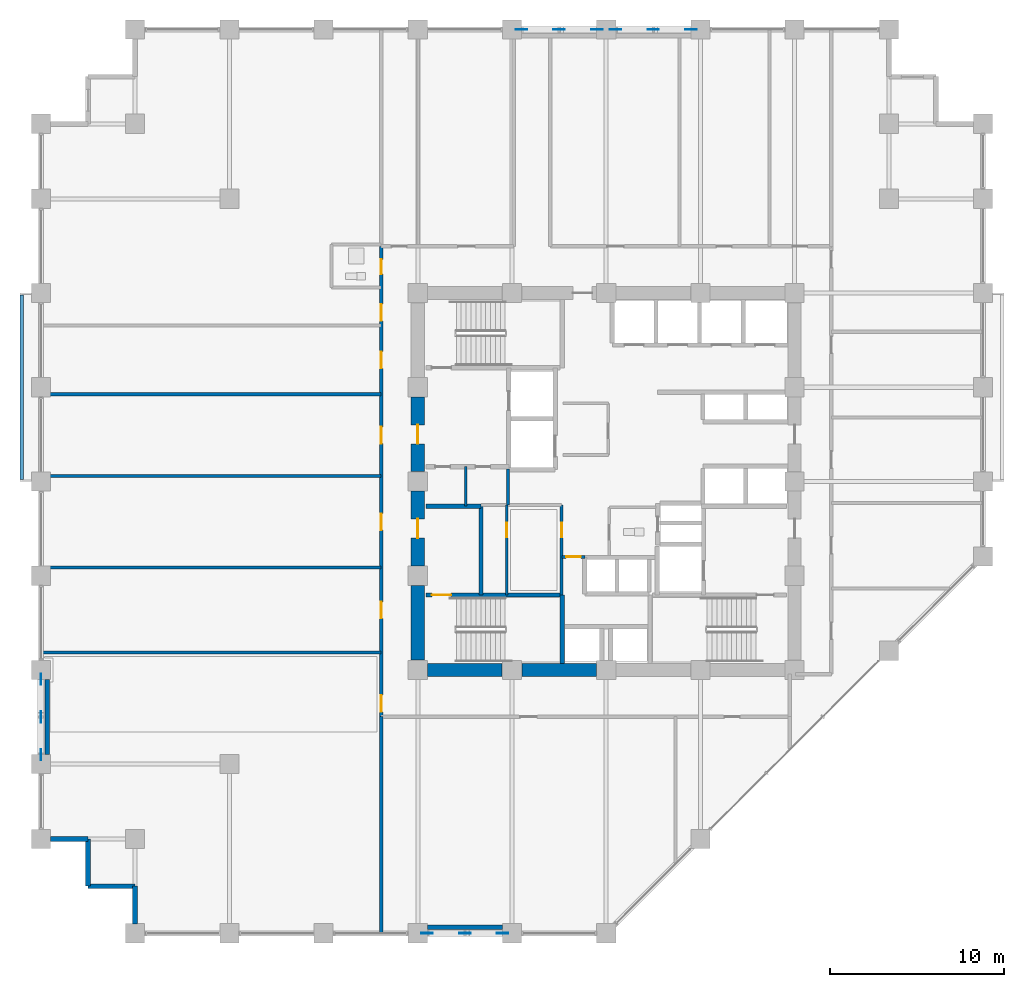
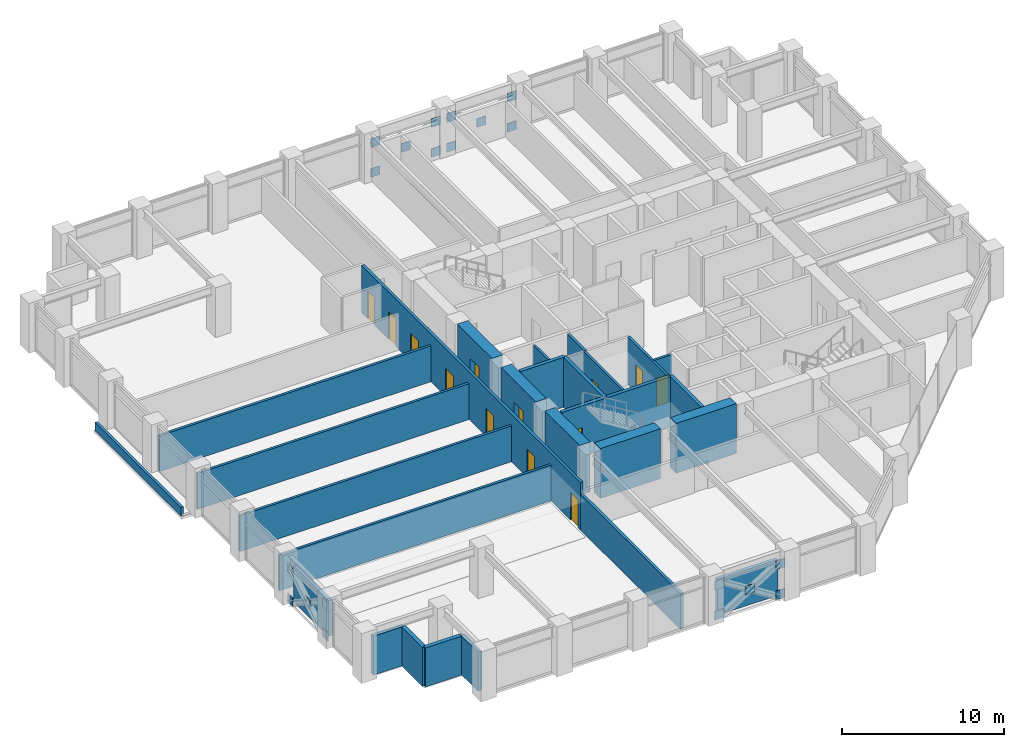
# One storey, part 18 of 24: 27 walls, 20 plates, 13 doors, 13 openings.
"""IFC4 building model written with IfcOpenShell, lengths in metres."""

from ifc_helpers import new_model, si_unit, direction, frame, frame_2d, origin, origin_2d, place, context, subcontext, project, spatial, rectangle, extrude, material, layer, layer_set, type_object, element, fill, save


model = new_model("IFC4")

# Units and contexts
model_context = context("Model", 3, precision=1e-05, world=origin(), true_north=direction((0.0, 1.0)))
body_context = subcontext(model_context, "Body", "Model", "MODEL_VIEW")
ifc_project = project(units=[si_unit("LENGTHUNIT", "METRE"), si_unit("AREAUNIT", "SQUARE_METRE"), si_unit("VOLUMEUNIT", "CUBIC_METRE"), si_unit("PLANEANGLEUNIT", "RADIAN"), si_unit("MASSUNIT", "GRAM", prefix="KILO")], contexts=[model_context])

# Site, building, storey
site_placement = place(None, origin())
site = spatial("IfcSite", under=ifc_project, at=site_placement, CompositionType="ELEMENT")
building_placement = place(site_placement, origin())
building = spatial("IfcBuilding", under=site, at=building_placement, Name="Surkhivell Harbour Commons", CompositionType="ELEMENT")
storey_placement = place(building_placement, frame((0.0, 0.0, 105.75)))
storey = spatial("IfcBuildingStorey", under=building, at=storey_placement, Name="L27", CompositionType="ELEMENT", Elevation=105.75)

# Plates
ifc_material_1 = material(Name="Steel S460", Category="steel")
ifc_layer_1 = layer(ifc_material_1, 0.044921875)
ifc_layer_set_1 = layer_set([ifc_layer_1], Name="Steel S460")
plate_type = type_object("IfcPlateType", Name="PLT-GUS-650", PredefinedType="USERDEFINED", material=ifc_layer_set_1)
for number, where, z_axis, x_axis, name in (
    (1, (-4.864990234375, 25.89990234375, -0.08935546875), (0.0, 0.0, 1.0), (1.0, 0.0, 0.0), "L27 Perimeter Mega-Brace MB- Corner Gusset N-1"),
    (2, (-0.534912109375, 25.89990234375, -0.08935546875), (0.0, 0.0, 1.0), (1.0, 0.0, 0.0), "L27 Perimeter Mega-Brace MB- Corner Gusset N-2"),
    (3, (-4.864990234375, 25.89990234375, 2.170654296875), (0.0, 0.0, 1.0), (1.0, 0.0, 0.0), "L27 Perimeter Mega-Brace MB- Corner Gusset N-3"),
    (4, (-0.534912109375, 25.89990234375, 2.170654296875), (0.0, 0.0, 1.0), (1.0, 0.0, 0.0), "L27 Perimeter Mega-Brace MB- Corner Gusset N-4"),
    (5, (-2.699951171875, 25.89990234375, 1.04052734375), (0.0, 0.0, 1.0), (1.0, 0.0, 0.0), "L27 Perimeter Mega-Brace MB- Central Crossing Gusset N"),
    (6, (0.534912109375, 25.89990234375, -0.08935546875), (0.0, 0.0, 1.0), (1.0, 0.0, 0.0), "L27 Perimeter Mega-Brace MB- Corner Gusset N2-1"),
    (7, (4.864990234375, 25.89990234375, -0.08935546875), (0.0, 0.0, 1.0), (1.0, 0.0, 0.0), "L27 Perimeter Mega-Brace MB- Corner Gusset N2-2"),
    (8, (0.534912109375, 25.89990234375, 2.170654296875), (0.0, 0.0, 1.0), (1.0, 0.0, 0.0), "L27 Perimeter Mega-Brace MB- Corner Gusset N2-3"),
    (9, (4.864990234375, 25.89990234375, 2.170654296875), (0.0, 0.0, 1.0), (1.0, 0.0, 0.0), "L27 Perimeter Mega-Brace MB- Corner Gusset N2-4"),
    (10, (2.699951171875, 25.89990234375, 1.04052734375), (0.0, 0.0, 1.0), (1.0, 0.0, 0.0), "L27 Perimeter Mega-Brace MB- Central Crossing Gusset N2"),
    (11, (-10.264892578125, -25.89990234375, -0.08935546875), (0.0, 0.0, 1.0), (1.0, 0.0, 0.0), "L27 Perimeter Mega-Brace MB- Corner Gusset S-1"),
    (12, (-5.93505859375, -25.89990234375, -0.08935546875), (0.0, 0.0, 1.0), (1.0, 0.0, 0.0), "L27 Perimeter Mega-Brace MB- Corner Gusset S-2"),
    (13, (-10.264892578125, -25.89990234375, 2.170654296875), (0.0, 0.0, 1.0), (1.0, 0.0, 0.0), "L27 Perimeter Mega-Brace MB- Corner Gusset S-3"),
    (14, (-5.93505859375, -25.89990234375, 2.170654296875), (0.0, 0.0, 1.0), (1.0, 0.0, 0.0), "L27 Perimeter Mega-Brace MB- Corner Gusset S-4"),
    (15, (-8.10009765625, -25.89990234375, 1.04052734375), (0.0, 0.0, 1.0), (1.0, 0.0, 0.0), "L27 Perimeter Mega-Brace MB- Central Crossing Gusset S"),
    (16, (-32.39990234375, -15.6650390625, -0.08935546875), (0.0, 0.0, 1.0), (0.0, 1.0, 0.0), "L27 Perimeter Mega-Brace MB- Corner Gusset W-1"),
    (17, (-32.39990234375, -11.3349609375, -0.08935546875), (0.0, 0.0, 1.0), (0.0, 1.0, 0.0), "L27 Perimeter Mega-Brace MB- Corner Gusset W-2"),
    (18, (-32.39990234375, -15.6650390625, 2.170654296875), (0.0, 0.0, 1.0), (0.0, 1.0, 0.0), "L27 Perimeter Mega-Brace MB- Corner Gusset W-3"),
    (19, (-32.39990234375, -11.3349609375, 2.170654296875), (0.0, 0.0, 1.0), (0.0, 1.0, 0.0), "L27 Perimeter Mega-Brace MB- Corner Gusset W-4"),
    (20, (-32.39990234375, -13.5, 1.04052734375), (0.0, 0.0, 1.0), (0.0, 1.0, 0.0), "L27 Perimeter Mega-Brace MB- Central Crossing Gusset W"),
):
    element("IfcPlate", number, at=place(storey_placement, frame(where, z_axis=z_axis, x_axis=x_axis)), inside=storey, type_object=plate_type, Name=name, ObjectType="GUSSET_PLATE", PredefinedType="USERDEFINED", context=body_context, shape_type="SweptSolid", body=[
        extrude(rectangle(XDim=0.64990234375, YDim=0.044921875, at=origin_2d()), origin(), (0.0, 0.0, 1.0), 0.64990234375),
    ])

# Walls
ifc_material_2 = material(Name="Concrete C60/75", Category="concrete")
ifc_layer_2 = layer(ifc_material_2, 0.75)
ifc_layer_set_2 = layer_set([ifc_layer_2], Name="Concrete C60/75")
wall_type_1 = type_object("IfcWallType", Name="WAL-CORE-750", PredefinedType="SHEAR", material=ifc_layer_set_2)
for number, where, z_axis, x_axis, name in (
    (21, (-10.239990234375, -10.800048828125, 0.0), (0.0, 0.0, 1.0), (1.0, 0.0, 0.0), "L27 Core Shear Wall South 1"),
    (22, (-10.800048828125, -10.239990234375, 0.0), (0.0, 0.0, 1.0), (0.0, 1.0, 0.0), "L27 Core Shear Wall West 1"),
    (23, (-4.840087890625, -10.800048828125, 0.0), (0.0, 0.0, 1.0), (1.0, 0.0, 0.0), "L27 Core Shear Wall South 2"),
):
    element("IfcWall", number, at=place(storey_placement, frame(where, z_axis=z_axis, x_axis=x_axis)), inside=storey, type_object=wall_type_1, Name=name, PredefinedType="SHEAR", context=body_context, shape_type="SweptSolid", body=[
        extrude(rectangle(XDim=4.280029296875, YDim=0.75, at=frame_2d((2.14013671875, 0.0))), origin(), (0.0, 0.0, 1.0), 3.75),
    ])

# Wall, opening, door
wall_1_placement = place(storey_placement, frame((-10.800048828125, -4.840087890625, 0.0), z_axis=(0.0, 0.0, 1.0), x_axis=(0.0, 1.0, 0.0)))
wall_1 = element("IfcWall", 24, at=wall_1_placement, inside=storey, type_object=wall_type_1, Name="L27 Core Shear Wall West 2", PredefinedType="SHEAR", context=body_context, shape_type="SweptSolid", body=[
    extrude(rectangle(XDim=4.280029296875, YDim=0.75, at=frame_2d((2.14013671875, 0.0))), origin(), (0.0, 0.0, 1.0), 3.75),
])
opening_1_placement = place(wall_1_placement, frame((1.590087890625, 0.0, 0.0)))
opening_1 = element("IfcOpeningElement", 25, at=opening_1_placement, cuts=wall_1, Name="Opening ID-2", PredefinedType="OPENING", context=body_context, shape_type="SweptSolid", body=[
    extrude(rectangle(XDim=1.10009765625, YDim=2.10009765625, at=frame_2d((0.550048828125, 1.050048828125))), frame((0.0, 0.385009765625, 0.0), z_axis=(0.0, -1.0, 0.0), x_axis=(1.0, 0.0, 0.0)), (0.0, 0.0, 1.0), 0.77001953125),
])
ifc_material_3 = material(Name="Hardwood-veneered fire-rated door leaf", Category="wood")
door_type_1 = type_object("IfcDoorType", Name="DOR-FD60-1100", OperationType="NOTDEFINED", PredefinedType="DOOR", material=ifc_material_3)
door_1_placement = place(opening_1_placement, origin())
door_1 = element("IfcDoor", 26, at=door_1_placement, inside=storey, type_object=door_type_1, Name="L27 Stair 3 Lobby Corridor Door", OperationType="SINGLE_SWING_LEFT", OverallHeight=2.10009765625, OverallWidth=1.10009765625, PredefinedType="DOOR", context=body_context, shape_type="SweptSolid", body=[
    extrude(rectangle(XDim=1.10009765625, YDim=2.10009765625, at=frame_2d((0.550048828125, 1.050048828125))), frame((0.0, 0.02490234375, 0.0), z_axis=(0.0, -1.0, 0.0), x_axis=(1.0, 0.0, 0.0)), (0.0, 0.0, 1.0), 0.050048828125),
])
fill(opening_1, door_1)

wall_2_placement = place(storey_placement, frame((-10.800048828125, 0.56005859375, 0.0), z_axis=(0.0, 0.0, 1.0), x_axis=(0.0, 1.0, 0.0)))
wall_2 = element("IfcWall", 27, at=wall_2_placement, inside=storey, type_object=wall_type_1, Name="L27 Core Shear Wall West 3", PredefinedType="SHEAR", context=body_context, shape_type="SweptSolid", body=[
    extrude(rectangle(XDim=4.280029296875, YDim=0.75, at=frame_2d((2.14013671875, 0.0))), origin(), (0.0, 0.0, 1.0), 3.75),
])
opening_2_placement = place(wall_2_placement, frame((1.590087890625, 0.0, 0.0)))
opening_2 = element("IfcOpeningElement", 28, at=opening_2_placement, cuts=wall_2, Name="Opening ID-1", PredefinedType="OPENING", context=body_context, shape_type="SweptSolid", body=[
    extrude(rectangle(XDim=1.10009765625, YDim=2.10009765625, at=frame_2d((0.550048828125, 1.050048828125))), frame((0.0, 0.385009765625, 0.0), z_axis=(0.0, -1.0, 0.0), x_axis=(1.0, 0.0, 0.0)), (0.0, 0.0, 1.0), 0.77001953125),
])
door_type_2 = type_object("IfcDoorType", Name="DOR-FD120-1100", OperationType="NOTDEFINED", PredefinedType="DOOR", material=ifc_material_3)
door_2_placement = place(opening_2_placement, origin())
door_2 = element("IfcDoor", 29, at=door_2_placement, inside=storey, type_object=door_type_2, Name="L27 Firefighting Lobby 1 Corridor Door", OperationType="SINGLE_SWING_LEFT", OverallHeight=2.10009765625, OverallWidth=1.10009765625, PredefinedType="DOOR", context=body_context, shape_type="SweptSolid", body=[
    extrude(rectangle(XDim=1.10009765625, YDim=2.10009765625, at=frame_2d((0.550048828125, 1.050048828125))), frame((0.0, 0.02490234375, 0.0), z_axis=(0.0, -1.0, 0.0), x_axis=(1.0, 0.0, 0.0)), (0.0, 0.0, 1.0), 0.050048828125),
])
fill(opening_2, door_2)

# Walls
ifc_material_4 = material(Name="Pale-metal insulated precast concrete C45/55", Category="concrete")
ifc_layer_3 = layer(ifc_material_4, 0.260009765625)
ifc_layer_set_3 = layer_set([ifc_layer_3], Name="Pale-metal insulated precast concrete C45/55")
wall_type_2 = type_object("IfcWallType", Name="WAL-EXT-MTL260", PredefinedType="STANDARD", material=ifc_layer_set_3)
wall_3_placement = place(storey_placement, frame((-10.251953125, -25.5400390625, 0.0), z_axis=(0.0, 0.0, 1.0), x_axis=(1.0, 0.0, 0.0)))
element("IfcWall", 30, at=wall_3_placement, inside=storey, type_object=wall_type_2, Name="L27 Braced-Bay Insulated Spandrel Backing S", PredefinedType="STANDARD", context=body_context, shape_type="SweptSolid", body=[
    extrude(rectangle(XDim=4.303955078125, YDim=0.260009765625, at=frame_2d((2.15185546875, 0.0))), origin(), (0.0, 0.0, 1.0), 2.698974609375),
])
wall_4_placement = place(storey_placement, frame((-32.0400390625, -11.347900390625, 0.0), z_axis=(0.0, 0.0, 1.0), x_axis=(0.0, -1.0, 0.0)))
element("IfcWall", 31, at=wall_4_placement, inside=storey, type_object=wall_type_2, Name="L27 Braced-Bay Insulated Spandrel Backing W", PredefinedType="STANDARD", context=body_context, shape_type="SweptSolid", body=[
    extrude(rectangle(XDim=4.30419921875, YDim=0.260009765625, at=frame_2d((2.152099609375, 0.0))), origin(), (0.0, 0.0, 1.0), 2.698974609375),
])
ifc_material_5 = material(Name="Terracotta-clad reinforced concrete C45/55", Category="masonry")
ifc_layer_4 = layer(ifc_material_5, 0.280029296875)
ifc_layer_set_4 = layer_set([ifc_layer_4], Name="Terracotta-clad reinforced concrete C45/55")
wall_type_3 = type_object("IfcWallType", Name="WAL-EXT-TER280", PredefinedType="STANDARD", material=ifc_layer_set_4)
wall_5_placement = place(storey_placement, frame((-31.85205078125, -20.5, 0.0), z_axis=(0.0, 0.0, 1.0), x_axis=(1.0, 0.0, 0.0)))
element("IfcWall", 32, at=wall_5_placement, inside=storey, type_object=wall_type_3, Name="L27 Serrated Corner Facade Wall 13", PredefinedType="STANDARD", context=body_context, shape_type="SweptSolid", body=[
    extrude(rectangle(XDim=2.152099609375, YDim=0.280029296875, at=frame_2d((1.076171875, 0.0))), origin(), (0.0, 0.0, 1.0), 2.93310546875),
])
for number, where, z_axis, x_axis, name in (
    (33, (-29.699951171875, -20.5, 0.0), (0.0, 0.0, 1.0), (0.0, -1.0, 0.0), "L27 Serrated Corner Facade Wall 14"),
    (34, (-29.699951171875, -23.199951171875, 0.0), (0.0, 0.0, 1.0), (1.0, 0.0, 0.0), "L27 Serrated Corner Facade Wall 15"),
):
    element("IfcWall", number, at=place(storey_placement, frame(where, z_axis=z_axis, x_axis=x_axis)), inside=storey, type_object=wall_type_3, Name=name, PredefinedType="STANDARD", context=body_context, shape_type="SweptSolid", body=[
        extrude(rectangle(XDim=2.699951171875, YDim=0.280029296875, at=frame_2d((1.35009765625, 0.0))), origin(), (0.0, 0.0, 1.0), 2.93310546875),
    ])
wall_6_placement = place(storey_placement, frame((-27.0, -23.199951171875, 0.0), z_axis=(0.0, 0.0, 1.0), x_axis=(0.0, -1.0, 0.0)))
element("IfcWall", 35, at=wall_6_placement, inside=storey, type_object=wall_type_3, Name="L27 Serrated Corner Facade Wall 16", PredefinedType="STANDARD", context=body_context, shape_type="SweptSolid", body=[
    extrude(rectangle(XDim=2.152099609375, YDim=0.280029296875, at=frame_2d((1.076171875, 0.0))), origin(), (0.0, 0.0, 1.0), 2.93310546875),
])

# Wall, opening, door
ifc_material_6 = material(Name="Twin-stud acoustic fireboard partition", Category="other")
ifc_layer_5 = layer(ifc_material_6, 0.14990234375)
ifc_layer_set_5 = layer_set([ifc_layer_5], Name="Twin-stud acoustic fireboard partition")
wall_type_4 = type_object("IfcWallType", Name="WAL-INT-150", PredefinedType="PARTITIONING", material=ifc_layer_set_5)
wall_7_placement = place(storey_placement, frame((-5.699951171875, -6.510009765625, 0.0), z_axis=(0.0, 0.0, 1.0), x_axis=(0.0, 1.0, 0.0)))
wall_7 = element("IfcWall", 36, at=wall_7_placement, inside=storey, type_object=wall_type_4, Name="L27 Core Cut B Partition", PredefinedType="PARTITIONING", context=body_context, shape_type="SweptSolid", body=[
    extrude(rectangle(XDim=5.159912109375, YDim=0.14990234375, at=frame_2d((2.580078125, 0.0))), origin(), (0.0, 0.0, 1.0), 3.570068359375),
])
opening_3_placement = place(wall_7_placement, frame((3.300048828125, 0.0, 0.0)))
opening_3 = element("IfcOpeningElement", 37, at=opening_3_placement, cuts=wall_7, Name="Opening ID-6", PredefinedType="OPENING", context=body_context, shape_type="SweptSolid", body=[
    extrude(rectangle(XDim=0.85009765625, YDim=2.10009765625, at=frame_2d((0.425048828125, 1.050048828125))), frame((0.0, 0.0849609375, 0.0), z_axis=(0.0, -1.0, 0.0), x_axis=(1.0, 0.0, 0.0)), (0.0, 0.0, 1.0), 0.169921875),
])
door_type_3 = type_object("IfcDoorType", Name="DOR-FD30-850", OperationType="NOTDEFINED", PredefinedType="DOOR", material=ifc_material_3)
door_3_placement = place(opening_3_placement, origin())
door_3 = element("IfcDoor", 38, at=door_3_placement, inside=storey, type_object=door_type_3, Name="L27 Core Focus Study Door", OperationType="SINGLE_SWING_RIGHT", OverallHeight=2.10009765625, OverallWidth=0.85009765625, PredefinedType="DOOR", context=body_context, shape_type="SweptSolid", body=[
    extrude(rectangle(XDim=0.85009765625, YDim=2.10009765625, at=frame_2d((0.425048828125, 1.050048828125))), frame((0.0, 0.02490234375, 0.0), z_axis=(0.0, -1.0, 0.0), x_axis=(1.0, 0.0, 0.0)), (0.0, 0.0, 1.0), 0.050048828125),
])
fill(opening_3, door_3)

# Wall
wall_8_placement = place(storey_placement, frame((-8.050048828125, -1.419921875, 0.0), z_axis=(0.0, 0.0, 1.0), x_axis=(0.0, 1.0, 0.0)))
element("IfcWall", 39, at=wall_8_placement, inside=storey, type_object=wall_type_4, Name="L27 West Seminar Booth Divider", PredefinedType="PARTITIONING", context=body_context, shape_type="SweptSolid", body=[
    extrude(rectangle(XDim=2.27001953125, YDim=0.14990234375, at=frame_2d((1.135009765625, 0.0))), origin(), (0.0, 0.0, 1.0), 3.570068359375),
])

# Wall, opening, door
ifc_material_7 = material(Name="High-density acoustic blockwork fire partition", Category="masonry")
ifc_layer_6 = layer(ifc_material_7, 0.175048828125)
ifc_layer_set_6 = layer_set([ifc_layer_6], Name="High-density acoustic blockwork fire partition")
wall_type_5 = type_object("IfcWallType", Name="WAL-INT-175", PredefinedType="PARTITIONING", material=ifc_layer_set_6)
wall_9_placement = place(storey_placement, frame((-2.550048828125, -6.510009765625, 0.0), z_axis=(0.0, 0.0, 1.0), x_axis=(0.0, 1.0, 0.0)))
wall_9 = element("IfcWall", 40, at=wall_9_placement, inside=storey, type_object=wall_type_5, Name="L27 Core Service Bay East Wall", PredefinedType="PARTITIONING", context=body_context, shape_type="SweptSolid", body=[
    extrude(rectangle(XDim=5.159912109375, YDim=0.175048828125, at=frame_2d((2.580078125, 0.0))), origin(), (0.0, 0.0, 1.0), 3.570068359375),
])
opening_4_placement = place(wall_9_placement, frame((3.300048828125, 0.0, 0.0)))
opening_4 = element("IfcOpeningElement", 41, at=opening_4_placement, cuts=wall_9, Name="Opening ID-6", PredefinedType="OPENING", context=body_context, shape_type="SweptSolid", body=[
    extrude(rectangle(XDim=0.85009765625, YDim=2.10009765625, at=frame_2d((0.425048828125, 1.050048828125))), frame((0.0, 0.097412109375, 0.0), z_axis=(0.0, -1.0, 0.0), x_axis=(1.0, 0.0, 0.0)), (0.0, 0.0, 1.0), 0.195068359375),
])
door_4_placement = place(opening_4_placement, origin())
door_4 = element("IfcDoor", 42, at=door_4_placement, inside=storey, type_object=door_type_3, Name="L27 Core Music Door", OperationType="SINGLE_SWING_LEFT", OverallHeight=2.10009765625, OverallWidth=0.85009765625, PredefinedType="DOOR", context=body_context, shape_type="SweptSolid", body=[
    extrude(rectangle(XDim=0.85009765625, YDim=2.10009765625, at=frame_2d((0.425048828125, 1.050048828125))), frame((0.0, 0.02490234375, 0.0), z_axis=(0.0, -1.0, 0.0), x_axis=(1.0, 0.0, 0.0)), (0.0, 0.0, 1.0), 0.050048828125),
])
fill(opening_4, door_4)

# Wall
wall_10_placement = place(storey_placement, frame((-5.6201171875, -1.35009765625, 0.0), z_axis=(0.0, 0.0, 1.0), x_axis=(0.0, 1.0, 0.0)))
element("IfcWall", 43, at=wall_10_placement, inside=storey, type_object=wall_type_5, Name="L27 West Core Bay East Wall", PredefinedType="PARTITIONING", context=body_context, shape_type="SweptSolid", body=[
    extrude(rectangle(XDim=2.070068359375, YDim=0.175048828125, at=frame_2d((1.03515625, 0.0))), origin(), (0.0, 0.0, 1.0), 3.570068359375),
])

# Wall, opening, door
wall_11_placement = place(storey_placement, frame((-2.52001953125, -4.320068359375, 0.0), z_axis=(0.0, 0.0, 1.0), x_axis=(1.0, 0.0, 0.0)))
wall_11 = element("IfcWall", 44, at=wall_11_placement, inside=storey, type_object=wall_type_5, Name="L27 High-Rise Lobby North Portal Wall", PredefinedType="PARTITIONING", context=body_context, shape_type="SweptSolid", body=[
    extrude(rectangle(XDim=1.300048828125, YDim=0.175048828125, at=frame_2d((0.64990234375, 0.0))), origin(), (0.0, 0.0, 1.0), 3.570068359375),
])
opening_5_placement = place(wall_11_placement, frame((0.219970703125, 0.0, 0.0)))
opening_5 = element("IfcOpeningElement", 45, at=opening_5_placement, cuts=wall_11, Name="Opening ID-6", PredefinedType="OPENING", context=body_context, shape_type="SweptSolid", body=[
    extrude(rectangle(XDim=0.85009765625, YDim=2.10009765625, at=frame_2d((0.425048828125, 1.050048828125))), frame((0.0, 0.097412109375, 0.0), z_axis=(0.0, -1.0, 0.0), x_axis=(1.0, 0.0, 0.0)), (0.0, 0.0, 1.0), 0.195068359375),
])
door_5_placement = place(opening_5_placement, origin())
door_5 = element("IfcDoor", 46, at=door_5_placement, inside=storey, type_object=door_type_3, Name="L27 High-Rise Lift Lobby North Door", OperationType="SINGLE_SWING_LEFT", OverallHeight=2.10009765625, OverallWidth=0.85009765625, PredefinedType="DOOR", context=body_context, shape_type="SweptSolid", body=[
    extrude(rectangle(XDim=0.85009765625, YDim=2.10009765625, at=frame_2d((0.425048828125, 1.050048828125))), frame((0.0, 0.02490234375, 0.0), z_axis=(0.0, -1.0, 0.0), x_axis=(1.0, 0.0, 0.0)), (0.0, 0.0, 1.0), 0.050048828125),
])
fill(opening_5, door_5)

# Walls
for number, where, z_axis, x_axis, name in (
    (47, (-32.340087890625, -4.929931640625, 0.0), (0.0, 0.0, 1.0), (1.0, 0.0, 0.0), "L27 West Partition BDP1"),
    (48, (-32.340087890625, 0.31005859375, 0.0), (0.0, 0.0, 1.0), (1.0, 0.0, 0.0), "L27 West Partition BDP2"),
    (49, (-32.340087890625, 5.0, 0.0), (0.0, 0.0, 1.0), (1.0, 0.0, 0.0), "L27 West Partition BDP3"),
    (50, (-32.340087890625, -9.800048828125, 0.0), (0.0, 0.0, 1.0), (1.0, 0.0, 0.0), "L27 West Partition PBOT"),
):
    element("IfcWall", number, at=place(storey_placement, frame(where, z_axis=z_axis, x_axis=x_axis)), inside=storey, type_object=wall_type_5, Name=name, PredefinedType="PARTITIONING", context=body_context, shape_type="SweptSolid", body=[
        extrude(rectangle(XDim=19.440185546875, YDim=0.175048828125, at=frame_2d((9.72021484375, 0.0))), origin(), (0.0, 0.0, 1.0), 2.698974609375),
    ])
ifc_material_8 = material(Name="Autoclaved aerated concrete blockwork and fire plaster", Category="masonry")
ifc_layer_7 = layer(ifc_material_8, 0.199951171875)
ifc_layer_set_7 = layer_set([ifc_layer_7], Name="Autoclaved aerated concrete blockwork and fire plaster")
wall_type_6 = type_object("IfcWallType", Name="WAL-INT-200", PredefinedType="PARTITIONING", material=ifc_layer_set_7)
wall_12_placement = place(storey_placement, frame((-12.89990234375, -25.840087890625, 0.0), z_axis=(0.0, 0.0, 1.0), x_axis=(0.0, 1.0, 0.0)))
element("IfcWall", 51, at=wall_12_placement, inside=storey, type_object=wall_type_6, Name="L27 South-West Wing Corner Divider", PredefinedType="PARTITIONING", context=body_context, shape_type="SweptSolid", body=[
    extrude(rectangle(XDim=12.360107421875, YDim=0.199951171875, at=frame_2d((6.18017578125, 0.0))), origin(), (0.0, 0.0, 1.0), 2.698974609375),
])

# Wall, openings, doors
wall_13_placement = place(storey_placement, frame((-12.89990234375, -13.47998046875, 0.0), z_axis=(0.0, 0.0, 1.0), x_axis=(0.0, 1.0, 0.0)))
wall_13 = element("IfcWall", 52, at=wall_13_placement, inside=storey, type_object=wall_type_6, Name="L27 Corridor West Wall", PredefinedType="PARTITIONING", context=body_context, shape_type="SweptSolid", body=[
    extrude(rectangle(XDim=26.9599609375, YDim=0.199951171875, at=frame_2d((13.47998046875, 0.0))), origin(), (0.0, 0.0, 1.0), 3.570068359375),
])
opening_6_placement = place(wall_13_placement, frame((0.280029296875, 0.0, 0.0)))
opening_6 = element("IfcOpeningElement", 53, at=opening_6_placement, cuts=wall_13, Name="Opening ID-4", PredefinedType="OPENING", context=body_context, shape_type="SweptSolid", body=[
    extrude(rectangle(XDim=0.949951171875, YDim=2.10009765625, at=frame_2d((0.47509765625, 1.050048828125))), frame((0.0, 0.10986328125, 0.0), z_axis=(0.0, -1.0, 0.0), x_axis=(1.0, 0.0, 0.0)), (0.0, 0.0, 1.0), 0.219970703125),
])
opening_7_placement = place(wall_13_placement, frame((25.364990234375, 0.0, 0.0)))
opening_7 = element("IfcOpeningElement", 54, at=opening_7_placement, cuts=wall_13, Name="Opening ID-6", PredefinedType="OPENING", context=body_context, shape_type="SweptSolid", body=[
    extrude(rectangle(XDim=0.85009765625, YDim=2.10009765625, at=frame_2d((0.425048828125, 1.050048828125))), frame((0.0, 0.10986328125, 0.0), z_axis=(0.0, -1.0, 0.0), x_axis=(1.0, 0.0, 0.0)), (0.0, 0.0, 1.0), 0.219970703125),
])
opening_8_placement = place(wall_13_placement, frame((22.68994140625, 0.0, 0.0)))
opening_8 = element("IfcOpeningElement", 55, at=opening_8_placement, cuts=wall_13, Name="Opening ID-4", PredefinedType="OPENING", context=body_context, shape_type="SweptSolid", body=[
    extrude(rectangle(XDim=0.949951171875, YDim=2.10009765625, at=frame_2d((0.47509765625, 1.050048828125))), frame((0.0, 0.10986328125, 0.0), z_axis=(0.0, -1.0, 0.0), x_axis=(1.0, 0.0, 0.0)), (0.0, 0.0, 1.0), 0.219970703125),
])
opening_9_placement = place(wall_13_placement, frame((5.635009765625, 0.0, 0.0)))
opening_9 = element("IfcOpeningElement", 56, at=opening_9_placement, cuts=wall_13, Name="Opening ID-4", PredefinedType="OPENING", context=body_context, shape_type="SweptSolid", body=[
    extrude(rectangle(XDim=0.949951171875, YDim=2.10009765625, at=frame_2d((0.47509765625, 1.050048828125))), frame((0.0, 0.10986328125, 0.0), z_axis=(0.0, -1.0, 0.0), x_axis=(1.0, 0.0, 0.0)), (0.0, 0.0, 1.0), 0.219970703125),
])
opening_10_placement = place(wall_13_placement, frame((10.68994140625, 0.0, 0.0)))
opening_10 = element("IfcOpeningElement", 57, at=opening_10_placement, cuts=wall_13, Name="Opening ID-4", PredefinedType="OPENING", context=body_context, shape_type="SweptSolid", body=[
    extrude(rectangle(XDim=0.949951171875, YDim=2.10009765625, at=frame_2d((0.47509765625, 1.050048828125))), frame((0.0, 0.10986328125, 0.0), z_axis=(0.0, -1.0, 0.0), x_axis=(1.0, 0.0, 0.0)), (0.0, 0.0, 1.0), 0.219970703125),
])
opening_11_placement = place(wall_13_placement, frame((15.655029296875, 0.0, 0.0)))
opening_11 = element("IfcOpeningElement", 58, at=opening_11_placement, cuts=wall_13, Name="Opening ID-4", PredefinedType="OPENING", context=body_context, shape_type="SweptSolid", body=[
    extrude(rectangle(XDim=0.949951171875, YDim=2.10009765625, at=frame_2d((0.47509765625, 1.050048828125))), frame((0.0, 0.10986328125, 0.0), z_axis=(0.0, -1.0, 0.0), x_axis=(1.0, 0.0, 0.0)), (0.0, 0.0, 1.0), 0.219970703125),
])
opening_12_placement = place(wall_13_placement, frame((19.965087890625, 0.0, 0.0)))
opening_12 = element("IfcOpeningElement", 59, at=opening_12_placement, cuts=wall_13, Name="Opening ID-4", PredefinedType="OPENING", context=body_context, shape_type="SweptSolid", body=[
    extrude(rectangle(XDim=0.949951171875, YDim=2.10009765625, at=frame_2d((0.47509765625, 1.050048828125))), frame((0.0, 0.10986328125, 0.0), z_axis=(0.0, -1.0, 0.0), x_axis=(1.0, 0.0, 0.0)), (0.0, 0.0, 1.0), 0.219970703125),
])
door_6_placement = place(opening_7_placement, origin())
door_6 = element("IfcDoor", 60, at=door_6_placement, inside=storey, type_object=door_type_3, Name="L27 Communal Shower Bathroom West Door", OperationType="SINGLE_SWING_RIGHT", OverallHeight=2.10009765625, OverallWidth=0.85009765625, PredefinedType="DOOR", context=body_context, shape_type="SweptSolid", body=[
    extrude(rectangle(XDim=0.85009765625, YDim=2.10009765625, at=frame_2d((0.425048828125, 1.050048828125))), frame((0.0, 0.02490234375, 0.0), z_axis=(0.0, -1.0, 0.0), x_axis=(1.0, 0.0, 0.0)), (0.0, 0.0, 1.0), 0.050048828125),
])
fill(opening_7, door_6)
door_type_4 = type_object("IfcDoorType", Name="DOR-FD60-950", OperationType="NOTDEFINED", PredefinedType="DOOR", material=ifc_material_3)
door_7_placement = place(opening_6_placement, origin())
door_7 = element("IfcDoor", 61, at=door_7_placement, inside=storey, type_object=door_type_4, Name="L27 Shared Communal Kitchen West Door", OperationType="SINGLE_SWING_LEFT", OverallHeight=2.10009765625, OverallWidth=0.949951171875, PredefinedType="DOOR", context=body_context, shape_type="SweptSolid", body=[
    extrude(rectangle(XDim=0.949951171875, YDim=2.10009765625, at=frame_2d((0.47509765625, 1.050048828125))), frame((0.0, 0.02490234375, 0.0), z_axis=(0.0, -1.0, 0.0), x_axis=(1.0, 0.0, 0.0)), (0.0, 0.0, 1.0), 0.050048828125),
])
fill(opening_6, door_7)
door_8_placement = place(opening_8_placement, origin())
door_8 = element("IfcDoor", 62, at=door_8_placement, inside=storey, type_object=door_type_4, Name="L27 Academic Reading Commons West Door", OperationType="SINGLE_SWING_LEFT", OverallHeight=2.10009765625, OverallWidth=0.949951171875, PredefinedType="DOOR", context=body_context, shape_type="SweptSolid", body=[
    extrude(rectangle(XDim=0.949951171875, YDim=2.10009765625, at=frame_2d((0.47509765625, 1.050048828125))), frame((0.0, 0.02490234375, 0.0), z_axis=(0.0, -1.0, 0.0), x_axis=(1.0, 0.0, 0.0)), (0.0, 0.0, 1.0), 0.050048828125),
])
fill(opening_8, door_8)
door_9_placement = place(opening_9_placement, origin())
door_9 = element("IfcDoor", 63, at=door_9_placement, inside=storey, type_object=door_type_4, Name="L27 Hostel Cluster Bedroom 1 West Door", OperationType="SINGLE_SWING_RIGHT", OverallHeight=2.10009765625, OverallWidth=0.949951171875, PredefinedType="DOOR", context=body_context, shape_type="SweptSolid", body=[
    extrude(rectangle(XDim=0.949951171875, YDim=2.10009765625, at=frame_2d((0.47509765625, 1.050048828125))), frame((0.0, 0.02490234375, 0.0), z_axis=(0.0, -1.0, 0.0), x_axis=(1.0, 0.0, 0.0)), (0.0, 0.0, 1.0), 0.050048828125),
])
fill(opening_9, door_9)
door_10_placement = place(opening_10_placement, origin())
door_10 = element("IfcDoor", 64, at=door_10_placement, inside=storey, type_object=door_type_4, Name="L27 Co-Living Dormitory Bedroom 2 West Door", OperationType="SINGLE_SWING_LEFT", OverallHeight=2.10009765625, OverallWidth=0.949951171875, PredefinedType="DOOR", context=body_context, shape_type="SweptSolid", body=[
    extrude(rectangle(XDim=0.949951171875, YDim=2.10009765625, at=frame_2d((0.47509765625, 1.050048828125))), frame((0.0, 0.02490234375, 0.0), z_axis=(0.0, -1.0, 0.0), x_axis=(1.0, 0.0, 0.0)), (0.0, 0.0, 1.0), 0.050048828125),
])
fill(opening_10, door_10)
door_11_placement = place(opening_11_placement, origin())
door_11 = element("IfcDoor", 65, at=door_11_placement, inside=storey, type_object=door_type_4, Name="L27 Hostel Cluster Bedroom 3 West Door", OperationType="SINGLE_SWING_RIGHT", OverallHeight=2.10009765625, OverallWidth=0.949951171875, PredefinedType="DOOR", context=body_context, shape_type="SweptSolid", body=[
    extrude(rectangle(XDim=0.949951171875, YDim=2.10009765625, at=frame_2d((0.47509765625, 1.050048828125))), frame((0.0, 0.02490234375, 0.0), z_axis=(0.0, -1.0, 0.0), x_axis=(1.0, 0.0, 0.0)), (0.0, 0.0, 1.0), 0.050048828125),
])
fill(opening_11, door_11)
door_12_placement = place(opening_12_placement, origin())
door_12 = element("IfcDoor", 66, at=door_12_placement, inside=storey, type_object=door_type_4, Name="L27 Co-Living Dormitory Bedroom 4 West Door", OperationType="SINGLE_SWING_LEFT", OverallHeight=2.10009765625, OverallWidth=0.949951171875, PredefinedType="DOOR", context=body_context, shape_type="SweptSolid", body=[
    extrude(rectangle(XDim=0.949951171875, YDim=2.10009765625, at=frame_2d((0.47509765625, 1.050048828125))), frame((0.0, 0.02490234375, 0.0), z_axis=(0.0, -1.0, 0.0), x_axis=(1.0, 0.0, 0.0)), (0.0, 0.0, 1.0), 0.050048828125),
])
fill(opening_12, door_12)

# Walls
ifc_material_9 = material(Name="Anodised aluminium and precast concrete C40/50", Category="concrete")
ifc_layer_8 = layer(ifc_material_9, 0.18505859375)
ifc_layer_set_8 = layer_set([ifc_layer_8], Name="Anodised aluminium and precast concrete C40/50")
wall_type_7 = type_object("IfcWallType", Name="WAL-PAR-185", PredefinedType="PARAPET", material=ifc_layer_set_8)
wall_14_placement = place(storey_placement, frame((-33.5, 10.699951171875, 0.0), z_axis=(0.0, 0.0, 1.0), x_axis=(0.0, -1.0, 0.0)))
element("IfcWall", 67, at=wall_14_placement, inside=storey, type_object=wall_type_7, Name="L27 Box Roof Coping Parapet 2-1", PredefinedType="PARAPET", context=body_context, shape_type="SweptSolid", body=[
    extrude(rectangle(XDim=10.599853515625, YDim=0.18505859375, at=frame_2d((5.2998046875, 0.0))), origin(), (0.0, 0.0, 1.0), 0.64990234375),
])
ifc_material_10 = material(Name="Concrete C50/60", Category="concrete")
ifc_layer_9 = layer(ifc_material_10, 0.25)
ifc_layer_set_9 = layer_set([ifc_layer_9], Name="Concrete C50/60")
wall_type_8 = type_object("IfcWallType", Name="WAL-SHAFT-250", PredefinedType="SHEAR", material=ifc_layer_set_9)
wall_15_placement = place(storey_placement, frame((-2.510009765625, -10.425048828125, 0.0), z_axis=(0.0, 0.0, 1.0), x_axis=(0.0, 1.0, 0.0)))
element("IfcWall", 68, at=wall_15_placement, inside=storey, type_object=wall_type_8, Name="L27 Stair ST3 East Shear Wall", PredefinedType="SHEAR", context=body_context, shape_type="SweptSolid", body=[
    extrude(rectangle(XDim=3.9150390625, YDim=0.25, at=frame_2d((1.95751953125, 0.0))), origin(), (0.0, 0.0, 1.0), 3.75),
])
wall_16_placement = place(storey_placement, frame((-7.179931640625, -6.510009765625, 0.0), z_axis=(0.0, 0.0, 1.0), x_axis=(0.0, 1.0, 0.0)))
element("IfcWall", 69, at=wall_16_placement, inside=storey, type_object=wall_type_8, Name="L27 Stair 3 Lobby East Wall", PredefinedType="SHEAR", context=body_context, shape_type="SweptSolid", body=[
    extrude(rectangle(XDim=5.090087890625, YDim=0.25, at=frame_2d((2.544921875, 0.0))), origin(), (0.0, 0.0, 1.0), 3.75),
])
wall_17_placement = place(storey_placement, frame((-10.340087890625, -1.419921875, 0.0), z_axis=(0.0, 0.0, 1.0), x_axis=(1.0, 0.0, 0.0)))
element("IfcWall", 70, at=wall_17_placement, inside=storey, type_object=wall_type_8, Name="L27 Stair 3 Lobby North Wall", PredefinedType="SHEAR", context=body_context, shape_type="SweptSolid", body=[
    extrude(rectangle(XDim=3.16015625, YDim=0.25, at=frame_2d((1.580078125, 0.0))), origin(), (0.0, 0.0, 1.0), 3.75),
])

# Wall, opening, door
wall_18_placement = place(storey_placement, frame((-10.340087890625, -6.510009765625, 0.0), z_axis=(0.0, 0.0, 1.0), x_axis=(1.0, 0.0, 0.0)))
wall_18 = element("IfcWall", 71, at=wall_18_placement, inside=storey, type_object=wall_type_8, Name="L27 Stair ST3 North Shear Wall", PredefinedType="SHEAR", context=body_context, shape_type="SweptSolid", body=[
    extrude(rectangle(XDim=7.7001953125, YDim=0.25, at=frame_2d((3.85009765625, 0.0))), origin(), (0.0, 0.0, 1.0), 3.75),
])
opening_13_placement = place(wall_18_placement, frame((0.35009765625, 0.0, 0.0)))
opening_13 = element("IfcOpeningElement", 72, at=opening_13_placement, cuts=wall_18, Name="Opening ID-2", PredefinedType="OPENING", context=body_context, shape_type="SweptSolid", body=[
    extrude(rectangle(XDim=1.10009765625, YDim=2.10009765625, at=frame_2d((0.550048828125, 1.050048828125))), frame((0.0, 0.135009765625, 0.0), z_axis=(0.0, -1.0, 0.0), x_axis=(1.0, 0.0, 0.0)), (0.0, 0.0, 1.0), 0.27001953125),
])
door_13_placement = place(opening_13_placement, origin())
door_13 = element("IfcDoor", 73, at=door_13_placement, inside=storey, type_object=door_type_1, Name="L27 Stair ST3 Exit Door", OperationType="SINGLE_SWING_RIGHT", OverallHeight=2.10009765625, OverallWidth=1.10009765625, PredefinedType="DOOR", context=body_context, shape_type="SweptSolid", body=[
    extrude(rectangle(XDim=1.10009765625, YDim=2.10009765625, at=frame_2d((0.550048828125, 1.050048828125))), frame((0.0, 0.02490234375, 0.0), z_axis=(0.0, -1.0, 0.0), x_axis=(1.0, 0.0, 0.0)), (0.0, 0.0, 1.0), 0.050048828125),
])
fill(opening_13, door_13)

save(model, "model.ifc")
